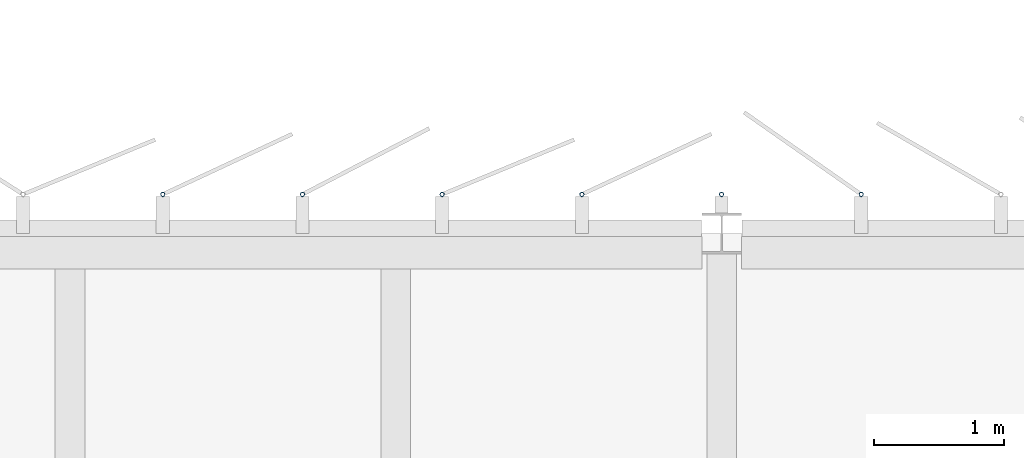
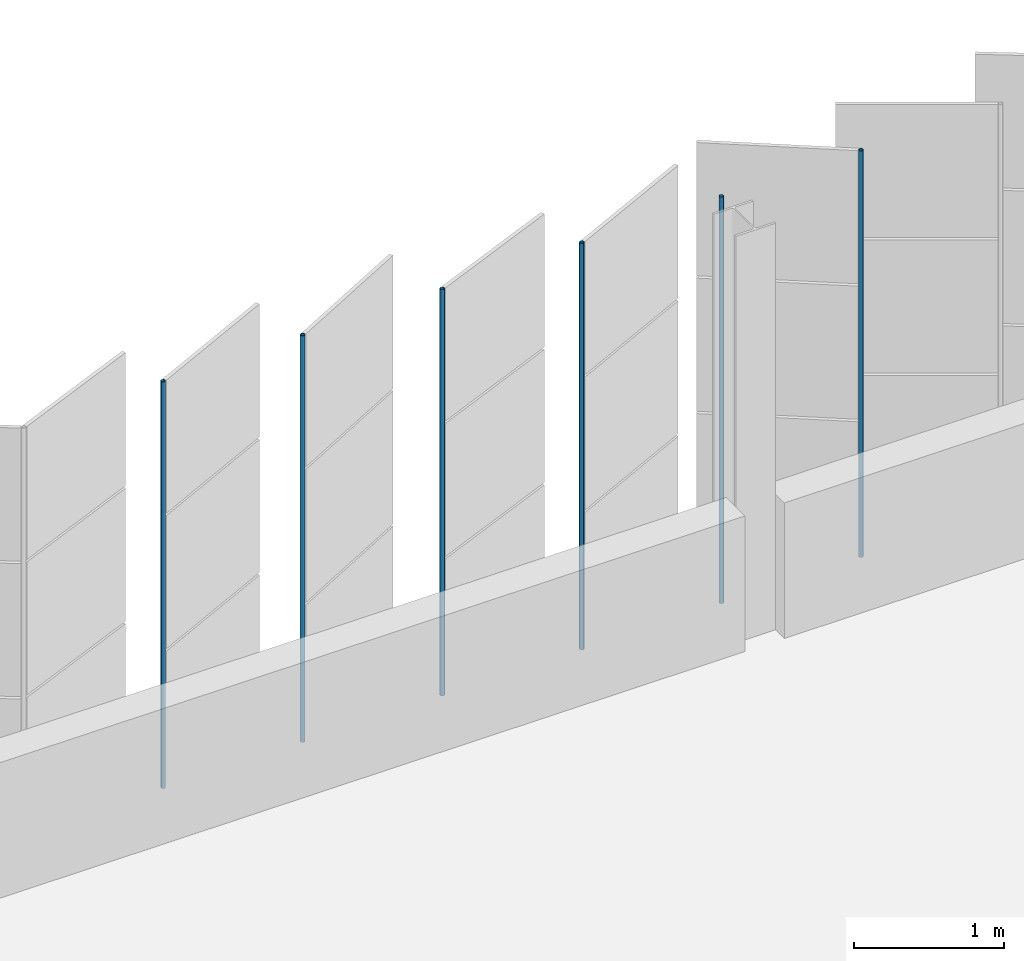
# One storey, part 164 of 214: 6 discrete accessories.
"""IFC4 building model written with IfcOpenShell, lengths in metres."""

from ifc_helpers import new_model, si_unit, direction, frame, origin, origin_2d, place, context, subcontext, project, spatial, hollow_circle, extrude, material, material_profile, profile_set, type_object, element, save


model = new_model("IFC4")

# Units and contexts
model_context = context("Model", 3, precision=1e-05, world=origin(), true_north=direction((0.0, 1.0)))
body_context = subcontext(model_context, "Body", "Model", "MODEL_VIEW")
ifc_project = project(units=[si_unit("LENGTHUNIT", "METRE"), si_unit("AREAUNIT", "SQUARE_METRE"), si_unit("VOLUMEUNIT", "CUBIC_METRE"), si_unit("PLANEANGLEUNIT", "RADIAN"), si_unit("MASSUNIT", "GRAM", prefix="KILO")], contexts=[model_context])

# Site, building, storey
site_placement = place(None, origin())
site = spatial("IfcSite", under=ifc_project, at=site_placement, CompositionType="ELEMENT")
building_placement = place(site_placement, origin())
building = spatial("IfcBuilding", under=site, at=building_placement, Name="Parallax Yard Mobility Hub", CompositionType="ELEMENT")
storey_placement = place(building_placement, frame((0.0, 0.0, 3.300048828125)))
storey = spatial("IfcBuildingStorey", under=building, at=storey_placement, Name="L01", CompositionType="ELEMENT", Elevation=3.300048828125)

# Discrete accessories
ifc_material = material(Name="Steel ASTM A500 Gr C, hot-dip galvanised", Category="steel")
ifc_material_profile = material_profile(ifc_material, hollow_circle(Radius=0.016845703125, WallThickness=0.003173828125, at=origin_2d()), Name="CHS 33.7x3.2")
ifc_profile_set = profile_set([ifc_material_profile], Name="Steel ASTM A500 Gr C, hot-dip galvanised")
discrete_accessory_type = type_object("IfcDiscreteAccessoryType", Name="Hinge post CHS 33.7x3.2", PredefinedType="BRACKET", material=ifc_profile_set)
for number, where, z_axis, x_axis, name in (
    (1, (143.56982421875, 142.800048828125, 0.0), (0.0, 0.0, 1.0), (1.0, 0.0, 0.0), "Hinge post bay 54.7 level L01"),
    (2, (142.498291015625, 142.800048828125, 0.0), (0.0, 0.0, 1.0), (1.0, 0.0, 0.0), "Hinge post bay 55.1 level L01"),
    (3, (141.4267578125, 142.800048828125, 0.0), (0.0, 0.0, 1.0), (1.0, 0.0, 0.0), "Hinge post bay 55.2 level L01"),
    (4, (140.355224609375, 142.800048828125, 0.0), (0.0, 0.0, 1.0), (1.0, 0.0, 0.0), "Hinge post bay 55.3 level L01"),
    (5, (139.28369140625, 142.800048828125, 0.0), (0.0, 0.0, 1.0), (1.0, 0.0, 0.0), "Hinge post bay 55.4 level L01"),
    (6, (138.212158203125, 142.800048828125, 0.0), (0.0, 0.0, 1.0), (1.0, 0.0, 0.0), "Hinge post bay 55.5 level L01"),
):
    element("IfcDiscreteAccessory", number, at=place(storey_placement, frame(where, z_axis=z_axis, x_axis=x_axis)), inside=storey, type_object=discrete_accessory_type, Name=name, PredefinedType="BRACKET", context=body_context, shape_type="SweptSolid", body=[
        extrude(hollow_circle(Radius=0.016845703125, WallThickness=0.003173828125, at=origin_2d()), origin(), (0.0, 0.0, 1.0), 3.300048828125),
    ])

save(model, "model.ifc")
